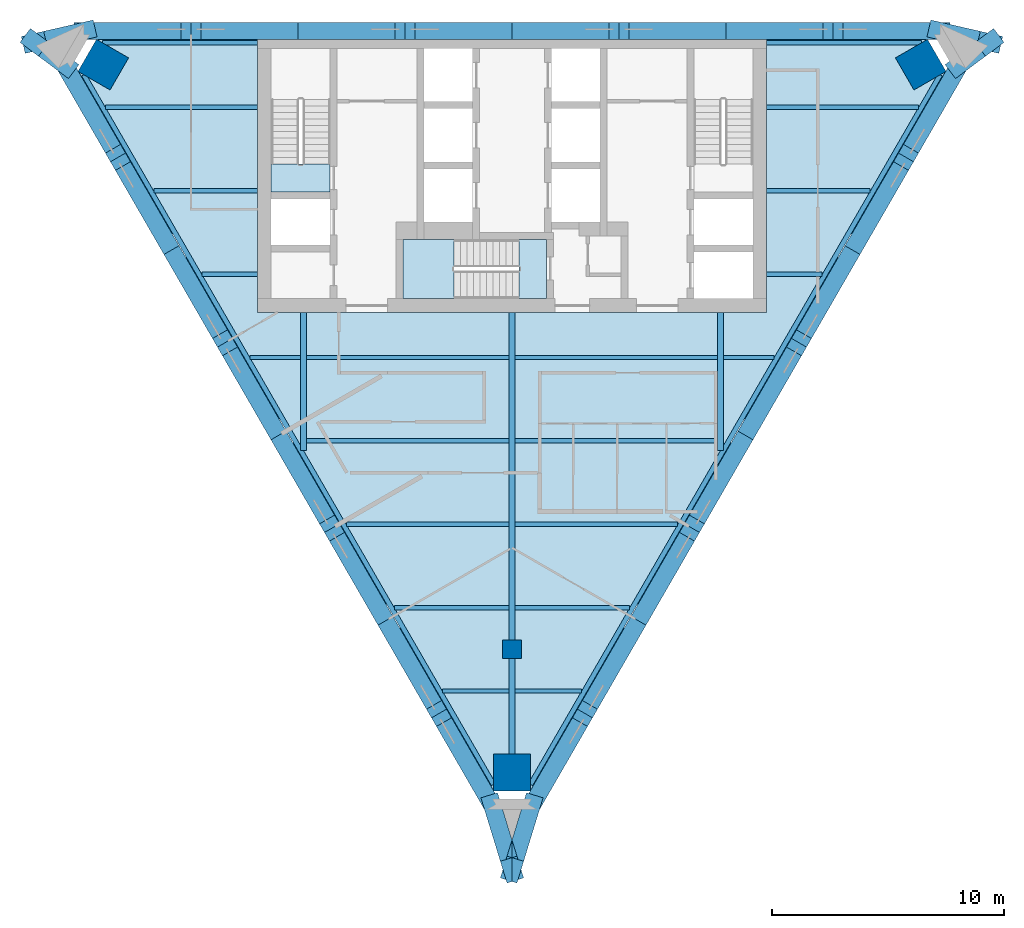
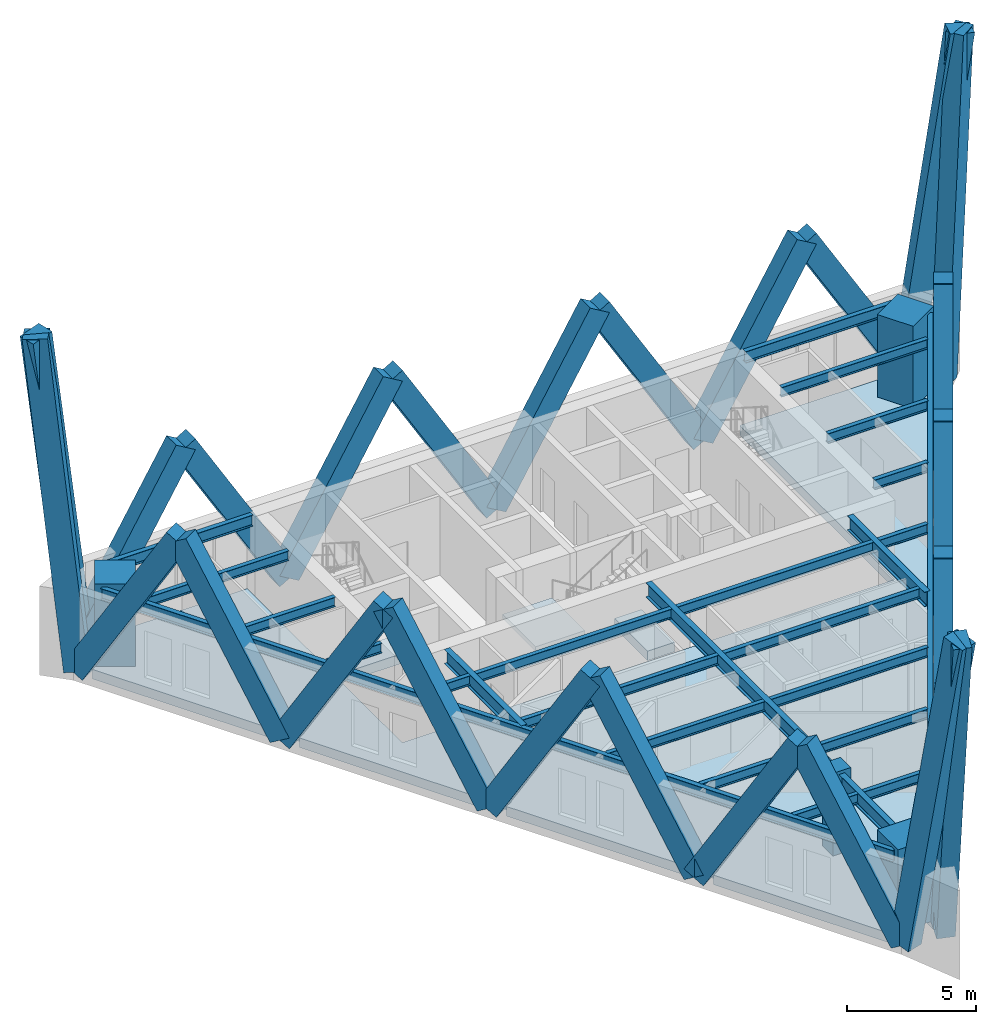
# One storey, part 1 of 6: 30 members, 26 beams, 4 columns, 4 slabs, 1 element without a shape of its own.
"""IFC4 building model written with IfcOpenShell, lengths in metres."""

from ifc_helpers import new_model, si_unit, direction, frame, origin, origin_2d, place, context, subcontext, project, spatial, polyline, rectangle, i_section, outline, extrude, material, layer, layer_set, material_profile, profile_set, type_object, element, aggregate, save


model = new_model("IFC4")

# Units and contexts
model_context = context("Model", 3, precision=1e-05, world=origin(), true_north=direction((0.0, 1.0)))
body_context = subcontext(model_context, "Body", "Model", "MODEL_VIEW")
ifc_project = project(units=[si_unit("LENGTHUNIT", "METRE"), si_unit("AREAUNIT", "SQUARE_METRE"), si_unit("VOLUMEUNIT", "CUBIC_METRE"), si_unit("PLANEANGLEUNIT", "RADIAN"), si_unit("MASSUNIT", "GRAM", prefix="KILO")], contexts=[model_context])

# Site, building, storey
site_placement = place(None, origin())
site = spatial("IfcSite", under=ifc_project, at=site_placement, CompositionType="ELEMENT")
building_placement = place(site_placement, origin())
building = spatial("IfcBuilding", under=site, at=building_placement, Name="Aloe Facet Convention Tower", CompositionType="ELEMENT")
storey_placement = place(building_placement, frame((0.0, 0.0, 238.699951171875)))
storey = spatial("IfcBuildingStorey", under=building, at=storey_placement, Name="L58", CompositionType="ELEMENT", Elevation=238.699951171875)

# Columns
ifc_material_1 = material(Name="Concrete C70/85", Category="concrete")
ifc_material_profile_1 = material_profile(ifc_material_1, rectangle(XDim=0.800048828125, YDim=0.800048828125, at=origin_2d()), Name="SF-GC-Z5")
ifc_profile_set_1 = profile_set([ifc_material_profile_1], Name="Concrete C70/85")
column_type_1 = type_object("IfcColumnType", Name="SF-GC-Z5", PredefinedType="COLUMN", material=ifc_profile_set_1)
column_placement = place(storey_placement, frame((80.0, 108.0, 0.0), z_axis=(0.0, 0.0, 1.0), x_axis=(1.0, 0.0, 0.0)))
element("IfcColumn", 1, at=column_placement, inside=storey, type_object=column_type_1, Name="Gravity column GC-Z5-9D", PredefinedType="COLUMN", context=body_context, shape_type="SweptSolid", body=[
    extrude(rectangle(XDim=0.800048828125, YDim=0.800048828125, at=origin_2d()), origin(), (0.0, 0.0, 1.0), 3.900146484375),
])
ifc_material_2 = material(Name="Concrete C80/95", Category="concrete")
ifc_material_profile_2 = material_profile(ifc_material_2, rectangle(XDim=1.60009765625, YDim=1.60009765625, at=origin_2d()), Name="STW-MC-Z5")
ifc_profile_set_2 = profile_set([ifc_material_profile_2], Name="Concrete C80/95")
column_type_2 = type_object("IfcColumnType", Name="STW-MC-Z5", PredefinedType="COLUMN", material=ifc_profile_set_2)
for number, where, z_axis, x_axis, name in (
    (2, (97.650634765625, 133.247314453125, 0.0), (0.0, 0.0, 1.0), (-0.5, 0.866025403784, 0.0), "Mega-column MC-NE-L58"),
    (3, (62.349365234375, 133.247314453125, 0.0), (0.0, 0.0, 1.0), (-0.5, -0.866025403784, 0.0), "Mega-column MC-NW-L58"),
    (4, (80.0, 102.67578125, 0.0), (0.0, 0.0, 1.0), (1.0, 0.0, 0.0), "Mega-column MC-S-L58"),
):
    element("IfcColumn", number, at=place(storey_placement, frame(where, z_axis=z_axis, x_axis=x_axis)), inside=storey, type_object=column_type_2, Name=name, PredefinedType="COLUMN", context=body_context, shape_type="SweptSolid", body=[
        extrude(rectangle(XDim=1.60009765625, YDim=1.60009765625, at=origin_2d()), origin(), (0.0, 0.0, 1.0), 3.900146484375),
    ])

# Beams
ifc_material_3 = material(Name="Steel S355", Category="steel")
ifc_material_profile_3 = material_profile(ifc_material_3, i_section(OverallWidth=0.19140625, OverallDepth=0.4599609375, WebThickness=0.010009765625, FlangeThickness=0.01611328125, FilletRadius=0.01025390625, at=origin_2d()), Name="UB 457x191x82")
ifc_profile_set_3 = profile_set([ifc_material_profile_3], Name="Steel S355")
beam_type_1 = type_object("IfcBeamType", Name="SF-B-UB457x191x82", PredefinedType="BEAM", material=ifc_profile_set_3)
beam_1_placement = place(storey_placement, frame((62.452392578125, 131.39990234375, 3.52001953125), z_axis=(1.0, 0.0, 0.0), x_axis=(0.0, 1.0, 0.0)))
element("IfcBeam", 5, at=beam_1_placement, inside=storey, type_object=beam_type_1, Name="Floor beam FB-Z5B-009", PredefinedType="BEAM", context=body_context, shape_type="SweptSolid", body=[
    extrude(i_section(OverallWidth=0.19140625, OverallDepth=0.4599609375, WebThickness=0.010009765625, FlangeThickness=0.01611328125, FilletRadius=0.01025390625, at=origin_2d()), origin(), (0.0, 0.0, 1.0), 6.547607421875),
])
beam_2_placement = place(storey_placement, frame((64.53076171875, 127.800048828125, 3.52001953125), z_axis=(1.0, 0.0, 0.0), x_axis=(0.0, 1.0, 0.0)))
element("IfcBeam", 6, at=beam_2_placement, inside=storey, type_object=beam_type_1, Name="Floor beam FB-Z5B-010", PredefinedType="BEAM", context=body_context, shape_type="SweptSolid", body=[
    extrude(i_section(OverallWidth=0.19140625, OverallDepth=0.4599609375, WebThickness=0.010009765625, FlangeThickness=0.01611328125, FilletRadius=0.01025390625, at=origin_2d()), origin(), (0.0, 0.0, 1.0), 4.46923828125),
])
beam_3_placement = place(storey_placement, frame((66.609130859375, 124.199951171875, 3.52001953125), z_axis=(1.0, 0.0, 0.0), x_axis=(0.0, 1.0, 0.0)))
element("IfcBeam", 7, at=beam_3_placement, inside=storey, type_object=beam_type_1, Name="Floor beam FB-Z5B-011", PredefinedType="BEAM", context=body_context, shape_type="SweptSolid", body=[
    extrude(i_section(OverallWidth=0.19140625, OverallDepth=0.4599609375, WebThickness=0.010009765625, FlangeThickness=0.01611328125, FilletRadius=0.01025390625, at=origin_2d()), origin(), (0.0, 0.0, 1.0), 2.390869140625),
])
beam_4_placement = place(storey_placement, frame((68.687744140625, 120.60009765625, 3.52001953125), z_axis=(1.0, 0.0, 0.0), x_axis=(0.0, 1.0, 0.0)))
element("IfcBeam", 8, at=beam_4_placement, inside=storey, type_object=beam_type_1, Name="Floor beam FB-Z5B-012", PredefinedType="BEAM", context=body_context, shape_type="SweptSolid", body=[
    extrude(i_section(OverallWidth=0.19140625, OverallDepth=0.4599609375, WebThickness=0.010009765625, FlangeThickness=0.01611328125, FilletRadius=0.01025390625, at=origin_2d()), origin(), (0.0, 0.0, 1.0), 2.185791015625),
])
for number, where, z_axis, x_axis, name in (
    (9, (71.12646484375, 117.0, 3.52001953125), (1.0, 0.0, 0.0), (0.0, 1.0, 0.0), "Floor beam FB-Z5B-013"),
    (10, (71.12646484375, 120.60009765625, 3.52001953125), (1.0, 0.0, 0.0), (0.0, 1.0, 0.0), "Floor beam FB-Z5B-014"),
):
    element("IfcBeam", number, at=place(storey_placement, frame(where, z_axis=z_axis, x_axis=x_axis)), inside=storey, type_object=beam_type_1, Name=name, PredefinedType="BEAM", context=body_context, shape_type="SweptSolid", body=[
        extrude(i_section(OverallWidth=0.19140625, OverallDepth=0.4599609375, WebThickness=0.010009765625, FlangeThickness=0.01611328125, FilletRadius=0.01025390625, at=origin_2d()), origin(), (0.0, 0.0, 1.0), 8.7470703125),
    ])
beam_5_placement = place(storey_placement, frame((72.844482421875, 113.39990234375, 3.52001953125), z_axis=(1.0, 0.0, 0.0), x_axis=(0.0, 1.0, 0.0)))
element("IfcBeam", 11, at=beam_5_placement, inside=storey, type_object=beam_type_1, Name="Floor beam FB-Z5B-015", PredefinedType="BEAM", context=body_context, shape_type="SweptSolid", body=[
    extrude(i_section(OverallWidth=0.19140625, OverallDepth=0.4599609375, WebThickness=0.010009765625, FlangeThickness=0.01611328125, FilletRadius=0.01025390625, at=origin_2d()), origin(), (0.0, 0.0, 1.0), 7.029052734375),
])
beam_6_placement = place(storey_placement, frame((74.923095703125, 109.800048828125, 3.52001953125), z_axis=(1.0, 0.0, 0.0), x_axis=(0.0, 1.0, 0.0)))
element("IfcBeam", 12, at=beam_6_placement, inside=storey, type_object=beam_type_1, Name="Floor beam FB-Z5B-016", PredefinedType="BEAM", context=body_context, shape_type="SweptSolid", body=[
    extrude(i_section(OverallWidth=0.19140625, OverallDepth=0.4599609375, WebThickness=0.010009765625, FlangeThickness=0.01611328125, FilletRadius=0.01025390625, at=origin_2d()), origin(), (0.0, 0.0, 1.0), 4.950439453125),
])
for number, where, z_axis, x_axis, name in (
    (13, (77.00146484375, 106.199951171875, 3.52001953125), (1.0, 0.0, 0.0), (0.0, 1.0, 0.0), "Floor beam FB-Z5B-017"),
    (14, (80.12646484375, 106.199951171875, 3.52001953125), (1.0, 0.0, 0.0), (0.0, 1.0, 0.0), "Floor beam FB-Z5B-018"),
):
    element("IfcBeam", number, at=place(storey_placement, frame(where, z_axis=z_axis, x_axis=x_axis)), inside=storey, type_object=beam_type_1, Name=name, PredefinedType="BEAM", context=body_context, shape_type="SweptSolid", body=[
        extrude(i_section(OverallWidth=0.19140625, OverallDepth=0.4599609375, WebThickness=0.010009765625, FlangeThickness=0.01611328125, FilletRadius=0.01025390625, at=origin_2d()), origin(), (0.0, 0.0, 1.0), 2.8720703125),
    ])
beam_7_placement = place(storey_placement, frame((80.12646484375, 109.800048828125, 3.52001953125), z_axis=(1.0, 0.0, 0.0), x_axis=(0.0, 1.0, 0.0)))
element("IfcBeam", 15, at=beam_7_placement, inside=storey, type_object=beam_type_1, Name="Floor beam FB-Z5B-019", PredefinedType="BEAM", context=body_context, shape_type="SweptSolid", body=[
    extrude(i_section(OverallWidth=0.19140625, OverallDepth=0.4599609375, WebThickness=0.010009765625, FlangeThickness=0.01611328125, FilletRadius=0.01025390625, at=origin_2d()), origin(), (0.0, 0.0, 1.0), 4.950439453125),
])
beam_8_placement = place(storey_placement, frame((80.12646484375, 113.39990234375, 3.52001953125), z_axis=(1.0, 0.0, 0.0), x_axis=(0.0, 1.0, 0.0)))
element("IfcBeam", 16, at=beam_8_placement, inside=storey, type_object=beam_type_1, Name="Floor beam FB-Z5B-020", PredefinedType="BEAM", context=body_context, shape_type="SweptSolid", body=[
    extrude(i_section(OverallWidth=0.19140625, OverallDepth=0.4599609375, WebThickness=0.010009765625, FlangeThickness=0.01611328125, FilletRadius=0.01025390625, at=origin_2d()), origin(), (0.0, 0.0, 1.0), 7.029052734375),
])
for number, where, z_axis, x_axis, name in (
    (17, (80.12646484375, 117.0, 3.52001953125), (1.0, 0.0, 0.0), (0.0, 1.0, 0.0), "Floor beam FB-Z5B-021"),
    (18, (80.12646484375, 120.60009765625, 3.52001953125), (1.0, 0.0, 0.0), (0.0, 1.0, 0.0), "Floor beam FB-Z5B-022"),
):
    element("IfcBeam", number, at=place(storey_placement, frame(where, z_axis=z_axis, x_axis=x_axis)), inside=storey, type_object=beam_type_1, Name=name, PredefinedType="BEAM", context=body_context, shape_type="SweptSolid", body=[
        extrude(i_section(OverallWidth=0.19140625, OverallDepth=0.4599609375, WebThickness=0.010009765625, FlangeThickness=0.01611328125, FilletRadius=0.01025390625, at=origin_2d()), origin(), (0.0, 0.0, 1.0), 8.7470703125),
    ])
beam_9_placement = place(storey_placement, frame((89.12646484375, 120.60009765625, 3.52001953125), z_axis=(1.0, 0.0, 0.0), x_axis=(0.0, 1.0, 0.0)))
element("IfcBeam", 19, at=beam_9_placement, inside=storey, type_object=beam_type_1, Name="Floor beam FB-Z5B-023", PredefinedType="BEAM", context=body_context, shape_type="SweptSolid", body=[
    extrude(i_section(OverallWidth=0.19140625, OverallDepth=0.4599609375, WebThickness=0.010009765625, FlangeThickness=0.01611328125, FilletRadius=0.01025390625, at=origin_2d()), origin(), (0.0, 0.0, 1.0), 2.185791015625),
])
beam_10_placement = place(storey_placement, frame((91.0, 124.199951171875, 3.52001953125), z_axis=(1.0, 0.0, 0.0), x_axis=(0.0, 1.0, 0.0)))
element("IfcBeam", 20, at=beam_10_placement, inside=storey, type_object=beam_type_1, Name="Floor beam FB-Z5B-024", PredefinedType="BEAM", context=body_context, shape_type="SweptSolid", body=[
    extrude(i_section(OverallWidth=0.19140625, OverallDepth=0.4599609375, WebThickness=0.010009765625, FlangeThickness=0.01611328125, FilletRadius=0.01025390625, at=origin_2d()), origin(), (0.0, 0.0, 1.0), 2.390869140625),
])
beam_11_placement = place(storey_placement, frame((91.0, 127.800048828125, 3.52001953125), z_axis=(1.0, 0.0, 0.0), x_axis=(0.0, 1.0, 0.0)))
element("IfcBeam", 21, at=beam_11_placement, inside=storey, type_object=beam_type_1, Name="Floor beam FB-Z5B-025", PredefinedType="BEAM", context=body_context, shape_type="SweptSolid", body=[
    extrude(i_section(OverallWidth=0.19140625, OverallDepth=0.4599609375, WebThickness=0.010009765625, FlangeThickness=0.01611328125, FilletRadius=0.01025390625, at=origin_2d()), origin(), (0.0, 0.0, 1.0), 4.46923828125),
])
beam_12_placement = place(storey_placement, frame((91.0, 131.39990234375, 3.52001953125), z_axis=(1.0, 0.0, 0.0), x_axis=(0.0, 1.0, 0.0)))
element("IfcBeam", 22, at=beam_12_placement, inside=storey, type_object=beam_type_1, Name="Floor beam FB-Z5B-026", PredefinedType="BEAM", context=body_context, shape_type="SweptSolid", body=[
    extrude(i_section(OverallWidth=0.19140625, OverallDepth=0.4599609375, WebThickness=0.010009765625, FlangeThickness=0.01611328125, FilletRadius=0.01025390625, at=origin_2d()), origin(), (0.0, 0.0, 1.0), 6.547607421875),
])
ifc_material_4 = material(Name="Steel S355", Category="steel")
ifc_material_profile_4 = material_profile(ifc_material_4, i_section(OverallWidth=0.209228515625, OverallDepth=0.533203125, WebThickness=0.010009765625, FlangeThickness=0.015625, FilletRadius=0.0126953125, at=origin_2d()), Name="UB 533x210x92")
ifc_profile_set_4 = profile_set([ifc_material_profile_4], Name="Steel S355")
beam_type_2 = type_object("IfcBeamType", Name="SF-B-UB533x210x92", PredefinedType="BEAM", material=ifc_profile_set_4)
beam_13_placement = place(storey_placement, frame((62.3076171875, 134.1953125, 3.4833984375), z_axis=(1.0, 0.0, 0.0), x_axis=(0.0, 1.0, 0.0)))
element("IfcBeam", 23, at=beam_13_placement, inside=storey, type_object=beam_type_2, Name="Floor beam FB-Z5B-001", PredefinedType="BEAM", context=body_context, shape_type="SweptSolid", body=[
    extrude(i_section(OverallWidth=0.209228515625, OverallDepth=0.533203125, WebThickness=0.010009765625, FlangeThickness=0.015625, FilletRadius=0.0126953125, at=origin_2d()), origin(), (0.0, 0.0, 1.0), 6.6923828125),
])
beam_14_placement = place(storey_placement, frame((79.199951171875, 102.16552734375, 3.4833984375), z_axis=(-0.499997782969, 0.866026683784, 0.0), x_axis=(-0.866026683784, -0.499997782969, 0.0)))
element("IfcBeam", 24, at=beam_14_placement, inside=storey, type_object=beam_type_2, Name="Floor beam FB-Z5B-002", PredefinedType="BEAM", context=body_context, shape_type="SweptSolid", body=[
    extrude(i_section(OverallWidth=0.209228515625, OverallDepth=0.533203125, WebThickness=0.010009765625, FlangeThickness=0.015625, FilletRadius=0.0126953125, at=origin_2d()), origin(), (0.0, 0.0, 1.0), 35.385009765625),
])
beam_15_placement = place(storey_placement, frame((91.0, 134.1953125, 3.4833984375), z_axis=(1.0, 0.0, 0.0), x_axis=(0.0, 1.0, 0.0)))
element("IfcBeam", 25, at=beam_15_placement, inside=storey, type_object=beam_type_2, Name="Floor beam FB-Z5B-003", PredefinedType="BEAM", context=body_context, shape_type="SweptSolid", body=[
    extrude(i_section(OverallWidth=0.209228515625, OverallDepth=0.533203125, WebThickness=0.010009765625, FlangeThickness=0.015625, FilletRadius=0.0126953125, at=origin_2d()), origin(), (0.0, 0.0, 1.0), 6.6923828125),
])
beam_16_placement = place(storey_placement, frame((98.492431640625, 132.809814453125, 3.4833984375), z_axis=(-0.499997782969, -0.866026683784, 0.0), x_axis=(0.866026683784, -0.499997782969, 0.0)))
element("IfcBeam", 26, at=beam_16_placement, inside=storey, type_object=beam_type_2, Name="Floor beam FB-Z5B-004", PredefinedType="BEAM", context=body_context, shape_type="SweptSolid", body=[
    extrude(i_section(OverallWidth=0.209228515625, OverallDepth=0.533203125, WebThickness=0.010009765625, FlangeThickness=0.015625, FilletRadius=0.0126953125, at=origin_2d()), origin(), (0.0, 0.0, 1.0), 35.385009765625),
])
ifc_material_5 = material(Name="Steel S355", Category="steel")
ifc_material_profile_5 = material_profile(ifc_material_5, i_section(OverallWidth=0.2529296875, OverallDepth=0.677978515625, WebThickness=0.01171875, FlangeThickness=0.01611328125, FilletRadius=0.01513671875, at=origin_2d()), Name="UB 686x254x125")
ifc_profile_set_5 = profile_set([ifc_material_profile_5], Name="Steel S355")
beam_type_3 = type_object("IfcBeamType", Name="SF-B-UB686x254x125", PredefinedType="BEAM", material=ifc_profile_set_5)
beam_17_placement = place(storey_placement, frame((71.0, 122.550048828125, 3.4111328125), z_axis=(0.0, -1.0, 0.0), x_axis=(1.0, 0.0, 0.0)))
element("IfcBeam", 27, at=beam_17_placement, inside=storey, type_object=beam_type_3, Name="Floor beam FB-Z5B-005", PredefinedType="BEAM", context=body_context, shape_type="SweptSolid", body=[
    extrude(i_section(OverallWidth=0.2529296875, OverallDepth=0.677978515625, WebThickness=0.01171875, FlangeThickness=0.01611328125, FilletRadius=0.01513671875, at=origin_2d()), origin(), (0.0, 0.0, 1.0), 5.96240234375),
])
beam_18_placement = place(storey_placement, frame((80.0, 107.60009765625, 3.4111328125), z_axis=(0.0, -1.0, 0.0), x_axis=(1.0, 0.0, 0.0)))
element("IfcBeam", 28, at=beam_18_placement, inside=storey, type_object=beam_type_3, Name="Floor beam FB-Z5B-006", PredefinedType="BEAM", context=body_context, shape_type="SweptSolid", body=[
    extrude(i_section(OverallWidth=0.2529296875, OverallDepth=0.677978515625, WebThickness=0.01171875, FlangeThickness=0.01611328125, FilletRadius=0.01513671875, at=origin_2d()), origin(), (0.0, 0.0, 1.0), 5.60498046875),
])
beam_19_placement = place(storey_placement, frame((80.0, 122.550048828125, 3.4111328125), z_axis=(0.0, -1.0, 0.0), x_axis=(1.0, 0.0, 0.0)))
element("IfcBeam", 29, at=beam_19_placement, inside=storey, type_object=beam_type_3, Name="Floor beam FB-Z5B-007", PredefinedType="BEAM", context=body_context, shape_type="SweptSolid", body=[
    extrude(i_section(OverallWidth=0.2529296875, OverallDepth=0.677978515625, WebThickness=0.01171875, FlangeThickness=0.01611328125, FilletRadius=0.01513671875, at=origin_2d()), origin(), (0.0, 0.0, 1.0), 14.150146484375),
])
beam_20_placement = place(storey_placement, frame((89.0, 122.550048828125, 3.4111328125), z_axis=(0.0, -1.0, 0.0), x_axis=(1.0, 0.0, 0.0)))
element("IfcBeam", 30, at=beam_20_placement, inside=storey, type_object=beam_type_3, Name="Floor beam FB-Z5B-008", PredefinedType="BEAM", context=body_context, shape_type="SweptSolid", body=[
    extrude(i_section(OverallWidth=0.2529296875, OverallDepth=0.677978515625, WebThickness=0.01171875, FlangeThickness=0.01611328125, FilletRadius=0.01513671875, at=origin_2d()), origin(), (0.0, 0.0, 1.0), 5.96240234375),
])

# Members
ifc_material_6 = material(Name="Concrete C60/75, bronze oxide finish", Category="concrete")
ifc_material_profile_6 = material_profile(ifc_material_6, rectangle(XDim=0.75, YDim=1.0, at=origin_2d()), Name="STW-LM")
ifc_profile_set_6 = profile_set([ifc_material_profile_6], Name="Concrete C60/75, bronze oxide finish")
member_type = type_object("IfcMemberType", Name="STW-LM", PredefinedType="BRACE", material=ifc_profile_set_6)
for number, where, z_axis, x_axis, name in (
    (31, (98.486083984375, 134.699951171875, 0.0), (-0.50974776773, 0.0, 0.860323900223), (0.0, -1.0, 0.0), "Lattice member LM-Z5-F1-R0-01"),
    (32, (89.2431640625, 134.699951171875, 0.0), (0.509727836338, 0.0, 0.860335709396), (0.0, 1.0, 0.0), "Lattice member LM-Z5-F1-R0-02"),
    (33, (89.2431640625, 134.699951171875, 0.0), (-0.50974776773, 0.0, 0.860323900223), (0.0, -1.0, 0.0), "Lattice member LM-Z5-F1-R0-03"),
    (34, (80.0, 134.699951171875, 0.0), (0.50974776773, 0.0, 0.860323900223), (0.0, 1.0, 0.0), "Lattice member LM-Z5-F1-R0-04"),
    (35, (80.0, 134.699951171875, 0.0), (-0.50974776773, 0.0, 0.860323900223), (0.0, -1.0, 0.0), "Lattice member LM-Z5-F1-R0-05"),
    (36, (70.7568359375, 134.699951171875, 0.0), (0.50974776773, 0.0, 0.860323900223), (0.0, 1.0, 0.0), "Lattice member LM-Z5-F1-R0-06"),
    (37, (70.7568359375, 134.699951171875, 0.0), (-0.509727836338, 0.0, 0.860335709396), (0.0, -1.0, 0.0), "Lattice member LM-Z5-F1-R0-07"),
    (38, (61.513916015625, 134.699951171875, 0.0), (0.50974776773, 0.0, 0.860323900223), (0.0, 1.0, 0.0), "Lattice member LM-Z5-F1-R0-08"),
    (39, (60.673583984375, 133.24462890625, 0.0), (0.254876492185, -0.441435851704, 0.860332704575), (0.866014033677, 0.500019693086, 0.0), "Lattice member LM-Z5-F2-R0-01"),
    (40, (65.295166015625, 125.239990234375, 0.0), (-0.254873462398, 0.441457532229, 0.860322477565), (-0.866027240882, -0.49999681804, 0.0), "Lattice member LM-Z5-F2-R0-02"),
    (41, (65.295166015625, 125.239990234375, 0.0), (0.254873462398, -0.441457532229, 0.860322477565), (0.866027240882, 0.49999681804, 0.0), "Lattice member LM-Z5-F2-R0-03"),
    (42, (69.916748046875, 117.2353515625, 0.0), (-0.254876492185, 0.441435851704, 0.860332704575), (-0.866014033677, -0.500019693086, 0.0), "Lattice member LM-Z5-F2-R0-04"),
    (43, (69.916748046875, 117.2353515625, 0.0), (0.254873462398, -0.441457532229, 0.860322477565), (0.866027240882, 0.49999681804, 0.0), "Lattice member LM-Z5-F2-R0-05"),
    (44, (74.538330078125, 109.23046875, 0.0), (-0.254873462398, 0.441457532229, 0.860322477565), (-0.866027240882, -0.49999681804, 0.0), "Lattice member LM-Z5-F2-R0-06"),
    (45, (74.538330078125, 109.23046875, 0.0), (0.254876492185, -0.441435851704, 0.860332704575), (0.866014033677, 0.500019693086, 0.0), "Lattice member LM-Z5-F2-R0-07"),
    (46, (79.159912109375, 101.225830078125, 0.0), (-0.254873462398, 0.441457532229, 0.860322477565), (-0.866027240882, -0.49999681804, 0.0), "Lattice member LM-Z5-F2-R0-08"),
    (47, (80.840087890625, 101.225830078125, 0.0), (0.254873462398, 0.441457532229, 0.860322477565), (-0.866027240882, 0.49999681804, 0.0), "Lattice member LM-Z5-F3-R0-01"),
    (48, (85.461669921875, 109.23046875, 0.0), (-0.254876492185, -0.441435851704, 0.860332704575), (0.866014033677, -0.500019693086, 0.0), "Lattice member LM-Z5-F3-R0-02"),
    (49, (85.461669921875, 109.23046875, 0.0), (0.254873462398, 0.441457532229, 0.860322477565), (-0.866027240882, 0.49999681804, 0.0), "Lattice member LM-Z5-F3-R0-03"),
    (50, (90.083251953125, 117.2353515625, 0.0), (-0.254873462398, -0.441457532229, 0.860322477565), (0.866027240882, -0.49999681804, 0.0), "Lattice member LM-Z5-F3-R0-04"),
    (51, (90.083251953125, 117.2353515625, 0.0), (0.254876492185, 0.441435851704, 0.860332704575), (-0.866014033677, 0.500019693086, 0.0), "Lattice member LM-Z5-F3-R0-05"),
    (52, (94.704833984375, 125.239990234375, 0.0), (-0.254873462398, -0.441457532229, 0.860322477565), (0.866027240882, -0.49999681804, 0.0), "Lattice member LM-Z5-F3-R0-06"),
    (53, (94.704833984375, 125.239990234375, 0.0), (0.254873462398, 0.441457532229, 0.860322477565), (-0.866027240882, 0.49999681804, 0.0), "Lattice member LM-Z5-F3-R0-07"),
    (54, (99.326416015625, 133.24462890625, 0.0), (-0.254876492185, -0.441435851704, 0.860332704575), (0.866014033677, -0.500019693086, 0.0), "Lattice member LM-Z5-F3-R0-08"),
):
    element("IfcMember", number, at=place(storey_placement, frame(where, z_axis=z_axis, x_axis=x_axis)), inside=storey, type_object=member_type, Name=name, PredefinedType="BRACE", context=body_context, shape_type="SweptSolid", body=[
        extrude(rectangle(XDim=0.75, YDim=1.0, at=origin_2d()), origin(), (0.0, 0.0, 1.0), 9.06640625),
    ])
member_1_placement = place(storey_placement, frame((99.326416015625, 133.24462890625, 0.0), z_axis=(0.082704613957, 0.061643190527, 0.994665805128), x_axis=(-0.597606893913, 0.801789249334, 0.0)))
element("IfcMember", 55, at=member_1_placement, inside=storey, type_object=member_type, Name="Lattice member LM-Z5-F6-R0-01", PredefinedType="BRACE", context=body_context, shape_type="SweptSolid", body=[
    extrude(rectangle(XDim=0.75, YDim=1.0, at=origin_2d()), origin(), (0.0, 0.0, 1.0), 15.683837890625),
])
for number, where, z_axis, x_axis, name in (
    (56, (98.486083984375, 134.699951171875, 0.0), (0.135681679527, -0.031010741374, 0.990267042651), (0.222809684249, 0.974861961821, 0.0), "Lattice member LM-Z5-F6-R0-03"),
    (57, (61.513916015625, 134.699951171875, 0.0), (-0.135681679527, -0.031010741374, 0.990267042651), (0.222809684249, -0.974861961821, 0.0), "Lattice member LM-Z5-F4-R0-01"),
):
    element("IfcMember", number, at=place(storey_placement, frame(where, z_axis=z_axis, x_axis=x_axis)), inside=storey, type_object=member_type, Name=name, PredefinedType="BRACE", context=body_context, shape_type="SweptSolid", body=[
        extrude(rectangle(XDim=0.75, YDim=1.0, at=origin_2d()), origin(), (0.0, 0.0, 1.0), 15.75341796875),
    ])
member_2_placement = place(storey_placement, frame((60.673583984375, 133.24462890625, 0.0), z_axis=(-0.082704613957, 0.061643190527, 0.994665805128), x_axis=(-0.597606893913, -0.801789249334, 0.0)))
element("IfcMember", 58, at=member_2_placement, inside=storey, type_object=member_type, Name="Lattice member LM-Z5-F4-R0-03", PredefinedType="BRACE", context=body_context, shape_type="SweptSolid", body=[
    extrude(rectangle(XDim=0.75, YDim=1.0, at=origin_2d()), origin(), (0.0, 0.0, 1.0), 15.683837890625),
])
for number, where, z_axis, x_axis, name in (
    (59, (79.159912109375, 101.225830078125, 0.0), (0.05296538529, -0.172718566794, 0.983546117193), (0.956056755649, 0.293181650137, 0.0), "Lattice member LM-Z5-F5-R0-01"),
    (60, (80.840087890625, 101.225830078125, 0.0), (-0.05296538529, -0.172718566794, 0.983546117193), (0.956056755649, -0.293181650137, 0.0), "Lattice member LM-Z5-F5-R0-03"),
):
    element("IfcMember", number, at=place(storey_placement, frame(where, z_axis=z_axis, x_axis=x_axis)), inside=storey, type_object=member_type, Name=name, PredefinedType="BRACE", context=body_context, shape_type="SweptSolid", body=[
        extrude(rectangle(XDim=0.75, YDim=1.0, at=origin_2d()), origin(), (0.0, 0.0, 1.0), 15.861083984375),
    ])

# Slabs
ifc_material_7 = material(Name="Concrete C50/60", Category="concrete")
ifc_layer_1 = layer(ifc_material_7, 0.449951171875)
ifc_layer_set_1 = layer_set([ifc_layer_1], Name="CR-S-FLOOR450-C5060")
slab_type_1 = type_object("IfcSlabType", Name="CR-S-FLOOR450-C5060", PredefinedType="FLOOR", material=ifc_layer_set_1)
slab_1_placement = place(storey_placement, frame((0.0, 0.0, -0.449951171875)))
element("IfcSlab", 61, at=slab_1_placement, inside=storey, type_object=slab_type_1, Name="Stair landing floor L58", PredefinedType="FLOOR", context=body_context, shape_type="SweptSolid", body=[
    extrude(outline(polyline([(72.14990234375, 127.75), (72.14990234375, 128.951171875), (69.60009765625, 128.951171875), (69.60009765625, 127.75), (72.14990234375, 127.75)])), origin(), (0.0, 0.0, 1.0), 0.449951171875),
])
slab_2_placement = place(storey_placement, frame((0.0, 0.0, -0.449951171875)))
element("IfcSlab", 62, at=slab_2_placement, inside=storey, type_object=slab_type_1, Name="Stair landing floor L58", PredefinedType="FLOOR", context=body_context, shape_type="SweptSolid", body=[
    extrude(outline(polyline([(81.5, 125.699951171875), (80.298828125, 125.699951171875), (80.298828125, 123.14990234375), (81.5, 123.14990234375), (81.5, 125.699951171875)])), origin(), (0.0, 0.0, 1.0), 0.449951171875),
])

# Stair, slab
ifc_material_8 = material(Name="Concrete C50/60", Category="concrete")
stair_type = type_object("IfcStairType", Name="CR-ST-22R", PredefinedType="HALF_TURN_STAIR", material=ifc_material_8)
stair_placement = place(storey_placement, origin())
stair = element("IfcStair", 63, at=stair_placement, inside=storey, type_object=stair_type, Name="L58 Protected exit stair ST3", PredefinedType="HALF_TURN_STAIR")
ifc_material_9 = material(Name="Concrete C50/60", Category="concrete")
ifc_layer_2 = layer(ifc_material_9, 0.199951171875)
ifc_layer_set_2 = layer_set([ifc_layer_2], Name="CR-SL-LANDING")
slab_type_2 = type_object("IfcSlabType", Name="CR-SL-LANDING", PredefinedType="LANDING", material=ifc_layer_set_2)
slab_3_placement = place(storey_placement, frame((0.0, 0.0, 1.75)))
slab_3 = element("IfcSlab", 64, at=slab_3_placement, type_object=slab_type_2, Name="ST3 landing 1", PredefinedType="LANDING", context=body_context, shape_type="SweptSolid", body=[
    extrude(outline(polyline([(77.5, 125.699951171875), (75.300048828125, 125.699951171875), (75.300048828125, 123.14990234375), (77.5, 123.14990234375), (77.5, 125.699951171875)])), origin(), (0.0, 0.0, 1.0), 0.199951171875),
])
aggregate(stair, [slab_3])

# Slab
ifc_material_10 = material(Name="Concrete C35/45", Category="concrete")
ifc_layer_3 = layer(ifc_material_10, 0.449951171875)
ifc_layer_set_3 = layer_set([ifc_layer_3], Name="SF-FS-450")
slab_type_3 = type_object("IfcSlabType", Name="SF-FS-450", PredefinedType="FLOOR", material=ifc_layer_set_3)
slab_4_placement = place(storey_placement, frame((0.0, 0.0, -0.449951171875)))
element("IfcSlab", 65, at=slab_4_placement, inside=storey, type_object=slab_type_3, Name="Floor slab L58-1", PredefinedType="FLOOR", context=body_context, shape_type="SweptSolid", body=[
    extrude(outline(polyline([(94.865478515625, 125.818359375), (94.5625, 125.993408203125), (94.271728515625, 125.489990234375), (93.981201171875, 124.98681640625), (94.2841796875, 124.811767578125), (90.243896484375, 117.813720703125), (89.94091796875, 117.988525390625), (89.650390625, 117.4853515625), (89.359619140625, 116.98193359375), (89.662841796875, 116.806884765625), (85.622314453125, 109.808837890625), (85.3193359375, 109.98388671875), (85.02880859375, 109.48046875), (84.738037109375, 108.977294921875), (85.041259765625, 108.80224609375), (81.0009765625, 101.80419921875), (80.800048828125, 101.920166015625), (80.800048828125, 103.475830078125), (79.199951171875, 103.475830078125), (79.199951171875, 101.920166015625), (78.9990234375, 101.80419921875), (74.958740234375, 108.80224609375), (75.261962890625, 108.977294921875), (74.97119140625, 109.48046875), (74.6806640625, 109.98388671875), (74.377685546875, 109.808837890625), (70.337158203125, 116.806884765625), (70.640380859375, 116.98193359375), (70.349609375, 117.4853515625), (70.05908203125, 117.988525390625), (69.756103515625, 117.813720703125), (65.7158203125, 124.811767578125), (66.018798828125, 124.98681640625), (65.728271484375, 125.489990234375), (65.4375, 125.993408203125), (65.134521484375, 125.818359375), (61.093994140625, 132.81640625), (61.294921875, 132.932373046875), (62.642333984375, 132.154541015625), (63.4423828125, 133.540283203125), (62.094970703125, 134.318115234375), (62.094970703125, 134.550048828125), (69.0, 134.550048828125), (69.0, 128.050048828125), (69.0, 127.14990234375), (69.0, 125.75), (69.0, 124.85009765625), (69.0, 122.550048828125), (71.85009765625, 122.550048828125), (72.75, 122.550048828125), (74.699951171875, 122.550048828125), (75.60009765625, 122.550048828125), (81.199951171875, 122.550048828125), (82.10009765625, 122.550048828125), (84.39990234375, 122.550048828125), (85.300048828125, 122.550048828125), (87.25, 122.550048828125), (88.14990234375, 122.550048828125), (91.0, 122.550048828125), (91.0, 124.85009765625), (91.0, 125.75), (91.0, 127.14990234375), (91.0, 128.050048828125), (91.0, 134.550048828125), (97.905029296875, 134.550048828125), (97.905029296875, 134.318115234375), (96.5576171875, 133.540283203125), (97.357666015625, 132.154541015625), (98.705078125, 132.932373046875), (98.906005859375, 132.81640625), (94.865478515625, 125.818359375)]), holes=[polyline([(80.39990234375, 107.60009765625), (80.39990234375, 108.39990234375), (79.60009765625, 108.39990234375), (79.60009765625, 107.60009765625), (80.39990234375, 107.60009765625)])]), origin(), (0.0, 0.0, 1.0), 0.449951171875),
])

save(model, "model.ifc")
